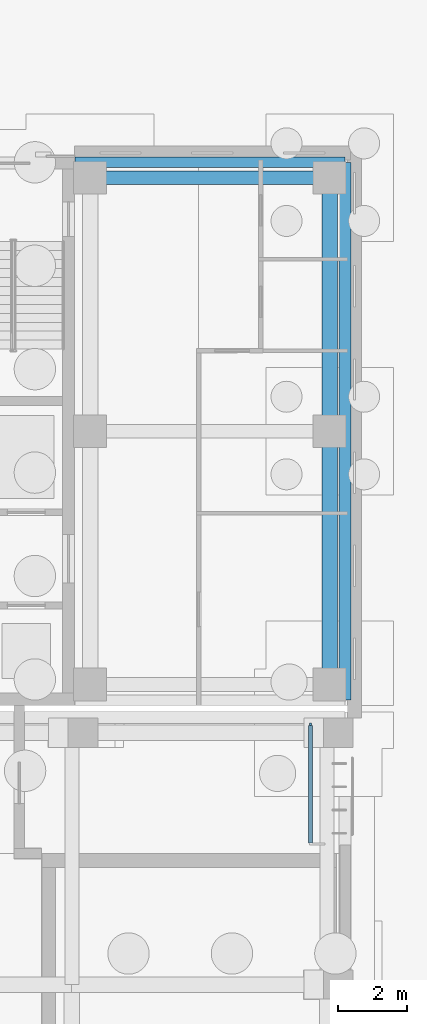
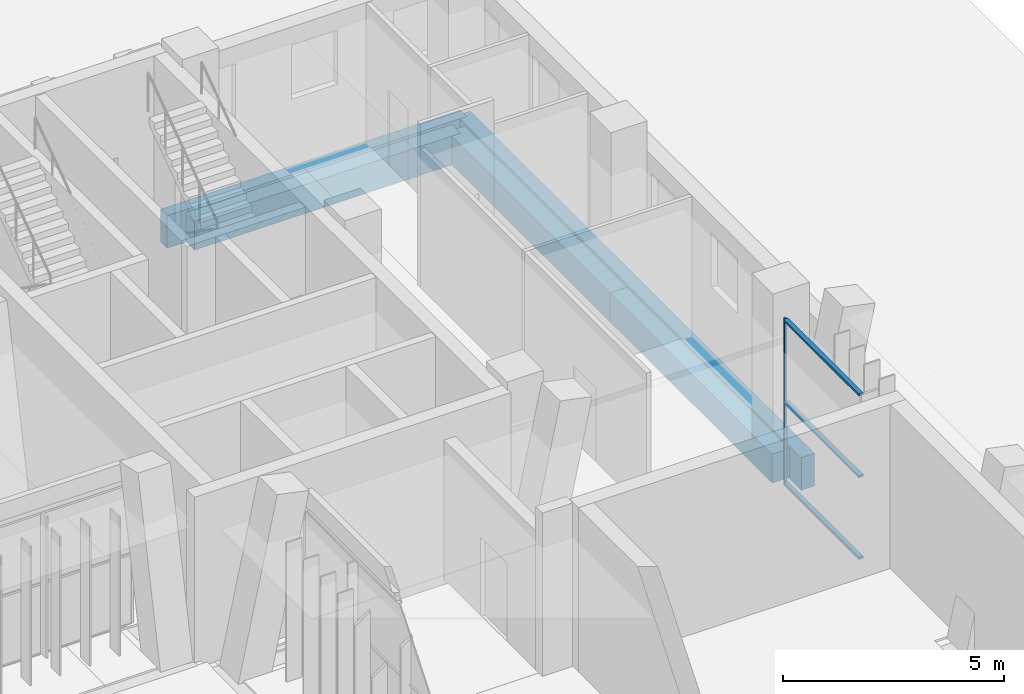
# One storey, part 83 of 144: 5 beams, 4 members, 1 element without a shape of its own.
"""IFC4 building model written with IfcOpenShell, lengths in metres."""

from ifc_helpers import new_model, si_unit, direction, frame, origin, origin_2d, place, context, subcontext, project, spatial, rectangle, extrude, material, material_profile, profile_set, type_object, element, aggregate, save


model = new_model("IFC4")

# Units and contexts
model_context = context("Model", 3, precision=1e-05, world=origin(), true_north=direction((0.0, 1.0)))
body_context = subcontext(model_context, "Body", "Model", "MODEL_VIEW")
ifc_project = project(units=[si_unit("LENGTHUNIT", "METRE"), si_unit("AREAUNIT", "SQUARE_METRE"), si_unit("VOLUMEUNIT", "CUBIC_METRE"), si_unit("PLANEANGLEUNIT", "RADIAN"), si_unit("MASSUNIT", "GRAM", prefix="KILO")], contexts=[model_context])

# Site, building, storey
site_placement = place(None, origin())
site = spatial("IfcSite", under=ifc_project, at=site_placement, CompositionType="ELEMENT")
building_placement = place(site_placement, origin())
building = spatial("IfcBuilding", under=site, at=building_placement, Name="Lantern Court Media Centre", CompositionType="ELEMENT")
storey_placement = place(building_placement, origin())
storey = spatial("IfcBuildingStorey", under=building, at=storey_placement, Name="L00", CompositionType="ELEMENT", Elevation=0.0)

# Curtain wall, members
ifc_material_1 = material(Name="Curtain wall bay 3000")
curtain_wall_type = type_object("IfcCurtainWallType", Name="Curtain wall bay 3000", PredefinedType="NOTDEFINED", material=ifc_material_1)
curtain_wall_placement = place(storey_placement, origin())
curtain_wall = element("IfcCurtainWall", 1, at=curtain_wall_placement, inside=storey, type_object=curtain_wall_type, Name="Curtain wall E outer L00", PredefinedType="NOTDEFINED")
ifc_material_2 = material(Name="Anodised aluminium", Category="aluminium")
ifc_material_profile_1 = material_profile(ifc_material_2, rectangle(XDim=0.06005859375, YDim=0.06005859375, at=origin_2d()), Name="AL 60x60")
ifc_profile_set_1 = profile_set([ifc_material_profile_1], Name="Anodised aluminium")
member_type_1 = type_object("IfcMemberType", Name="Curtain wall mullion 60x60", PredefinedType="MULLION", material=ifc_profile_set_1)
member_1_placement = place(storey_placement, frame((94.85009765625, 95.550048828125, 0.0), z_axis=(0.0, 0.0, 1.0), x_axis=(-1.0, 0.0, 0.0)))
member_1 = element("IfcMember", 2, at=member_1_placement, type_object=member_type_1, Name="CW1 mullion 2", PredefinedType="MULLION", context=body_context, shape_type="SweptSolid", body=[
    extrude(rectangle(XDim=0.06005859375, YDim=0.06005859375, at=origin_2d()), origin(), (0.0, 0.0, 1.0), 4.580078125),
])
ifc_material_profile_2 = material_profile(ifc_material_2, rectangle(XDim=0.1201171875, YDim=0.06005859375, at=origin_2d()), Name="AL 60x120")
ifc_profile_set_2 = profile_set([ifc_material_profile_2], Name="Anodised aluminium")
member_type_2 = type_object("IfcMemberType", Name="Curtain wall transom 60x120", PredefinedType="USERDEFINED", material=ifc_profile_set_2)
member_2_placement = place(storey_placement, frame((94.85009765625, 92.110107421875, 0.030029296875), z_axis=(0.0, 1.0, 0.0), x_axis=(-1.0, 0.0, 0.0)))
member_2 = element("IfcMember", 3, at=member_2_placement, type_object=member_type_2, Name="CW1 transom 1.1", ObjectType="TRANSOM", PredefinedType="USERDEFINED", context=body_context, shape_type="SweptSolid", body=[
    extrude(rectangle(XDim=0.1201171875, YDim=0.06005859375, at=origin_2d()), origin(), (0.0, 0.0, 1.0), 3.409912109375),
])
member_3_placement = place(storey_placement, frame((94.85009765625, 92.110107421875, 2.2900390625), z_axis=(0.0, 1.0, 0.0), x_axis=(-1.0, 0.0, 0.0)))
member_3 = element("IfcMember", 4, at=member_3_placement, type_object=member_type_2, Name="CW1 transom 1.2", ObjectType="TRANSOM", PredefinedType="USERDEFINED", context=body_context, shape_type="SweptSolid", body=[
    extrude(rectangle(XDim=0.1201171875, YDim=0.06005859375, at=origin_2d()), origin(), (0.0, 0.0, 1.0), 3.409912109375),
])
member_4_placement = place(storey_placement, frame((94.85009765625, 92.110107421875, 4.550048828125), z_axis=(0.0, 1.0, 0.0), x_axis=(-1.0, 0.0, 0.0)))
member_4 = element("IfcMember", 5, at=member_4_placement, type_object=member_type_2, Name="CW1 transom 1.3", ObjectType="TRANSOM", PredefinedType="USERDEFINED", context=body_context, shape_type="SweptSolid", body=[
    extrude(rectangle(XDim=0.1201171875, YDim=0.06005859375, at=origin_2d()), origin(), (0.0, 0.0, 1.0), 3.409912109375),
])
aggregate(curtain_wall, [member_1, member_2, member_3, member_4])

# Beams
ifc_material_3 = material(Name="Concrete C35", Category="concrete")
ifc_material_profile_3 = material_profile(ifc_material_3, rectangle(XDim=0.300048828125, YDim=0.89990234375, at=origin_2d()), Name="RC 300x900")
ifc_profile_set_3 = profile_set([ifc_material_profile_3], Name="Concrete C35")
beam_type_1 = type_object("IfcBeamType", Name="RC BEAM 300x900", PredefinedType="BEAM", material=ifc_profile_set_3)
beam_1_placement = place(storey_placement, frame((88.02001953125, 111.85009765625, -0.449951171875), z_axis=(1.0, 0.0, 0.0), x_axis=(0.0, 1.0, 0.0)))
element("IfcBeam", 6, at=beam_1_placement, inside=storey, type_object=beam_type_1, Name="EB-NE-L00-N", PredefinedType="BEAM", context=body_context, shape_type="SweptSolid", body=[
    extrude(rectangle(XDim=0.300048828125, YDim=0.89990234375, at=origin_2d()), origin(), (0.0, 0.0, 1.0), 7.830078125),
])
ifc_material_profile_4 = material_profile(ifc_material_3, rectangle(XDim=0.35009765625, YDim=0.89990234375, at=origin_2d()), Name="RC 350x900")
ifc_profile_set_4 = profile_set([ifc_material_profile_4], Name="Concrete C35")
beam_type_2 = type_object("IfcBeamType", Name="RC BEAM 350x900", PredefinedType="BEAM", material=ifc_profile_set_4)
beam_2_placement = place(storey_placement, frame((95.85009765625, 96.25, -0.449951171875), z_axis=(0.0, 1.0, 0.0), x_axis=(-1.0, 0.0, 0.0)))
element("IfcBeam", 7, at=beam_2_placement, inside=storey, type_object=beam_type_2, Name="EB-NE-L00-E", PredefinedType="BEAM", context=body_context, shape_type="SweptSolid", body=[
    extrude(rectangle(XDim=0.35009765625, YDim=0.89990234375, at=origin_2d()), origin(), (0.0, 0.0, 1.0), 15.60009765625),
])
ifc_material_profile_5 = material_profile(ifc_material_3, rectangle(XDim=0.39990234375, YDim=0.800048828125, at=origin_2d()), Name="RC 400x800")
ifc_profile_set_5 = profile_set([ifc_material_profile_5], Name="Concrete C35")
beam_type_3 = type_object("IfcBeamType", Name="RC BEAM 400x800", PredefinedType="BEAM", material=ifc_profile_set_5)
beam_3_placement = place(storey_placement, frame((88.449951171875, 111.39990234375, -0.39990234375), z_axis=(1.0, 0.0, 0.0), x_axis=(0.0, 1.0, 0.0)))
element("IfcBeam", 8, at=beam_3_placement, inside=storey, type_object=beam_type_3, Name="BB-NE-L00-Y0-111", PredefinedType="BEAM", context=body_context, shape_type="SweptSolid", body=[
    extrude(rectangle(XDim=0.39990234375, YDim=0.800048828125, at=origin_2d()), origin(), (0.0, 0.0, 1.0), 6.949951171875),
])
ifc_material_profile_6 = material_profile(ifc_material_3, rectangle(XDim=0.449951171875, YDim=0.800048828125, at=origin_2d()), Name="RC 450x800")
ifc_profile_set_6 = profile_set([ifc_material_profile_6], Name="Concrete C35")
beam_type_4 = type_object("IfcBeamType", Name="RC BEAM 450x800", PredefinedType="BEAM", material=ifc_profile_set_6)
beam_4_placement = place(storey_placement, frame((95.39990234375, 96.699951171875, -0.39990234375), z_axis=(0.0, 1.0, 0.0), x_axis=(-1.0, 0.0, 0.0)))
element("IfcBeam", 9, at=beam_4_placement, inside=storey, type_object=beam_type_4, Name="BB-NE-L00-X0-95", PredefinedType="BEAM", context=body_context, shape_type="SweptSolid", body=[
    extrude(rectangle(XDim=0.449951171875, YDim=0.800048828125, at=origin_2d()), origin(), (0.0, 0.0, 1.0), 7.35009765625),
])
beam_5_placement = place(storey_placement, frame((95.39990234375, 104.050048828125, -0.39990234375), z_axis=(0.0, 1.0, 0.0), x_axis=(-1.0, 0.0, 0.0)))
element("IfcBeam", 10, at=beam_5_placement, inside=storey, type_object=beam_type_4, Name="BB-NE-L00-X1-95", PredefinedType="BEAM", context=body_context, shape_type="SweptSolid", body=[
    extrude(rectangle(XDim=0.449951171875, YDim=0.800048828125, at=origin_2d()), origin(), (0.0, 0.0, 1.0), 7.349853515625),
])

save(model, "model.ifc")
